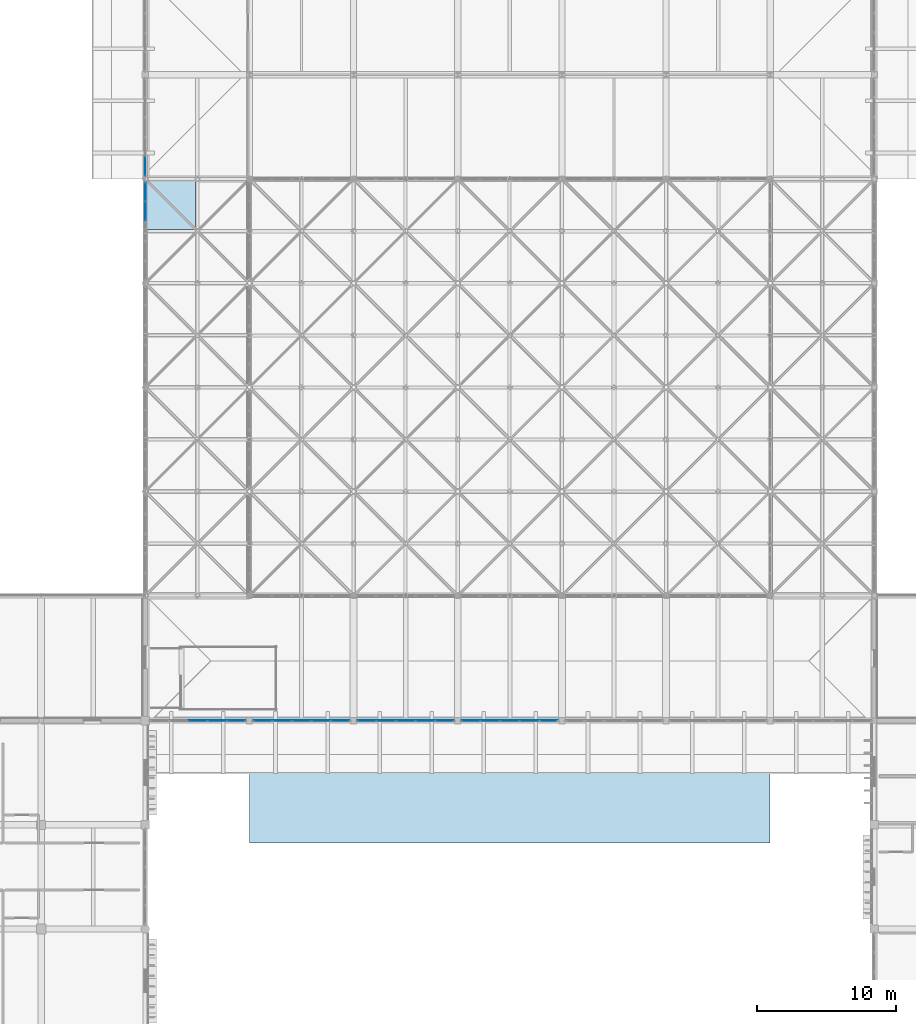
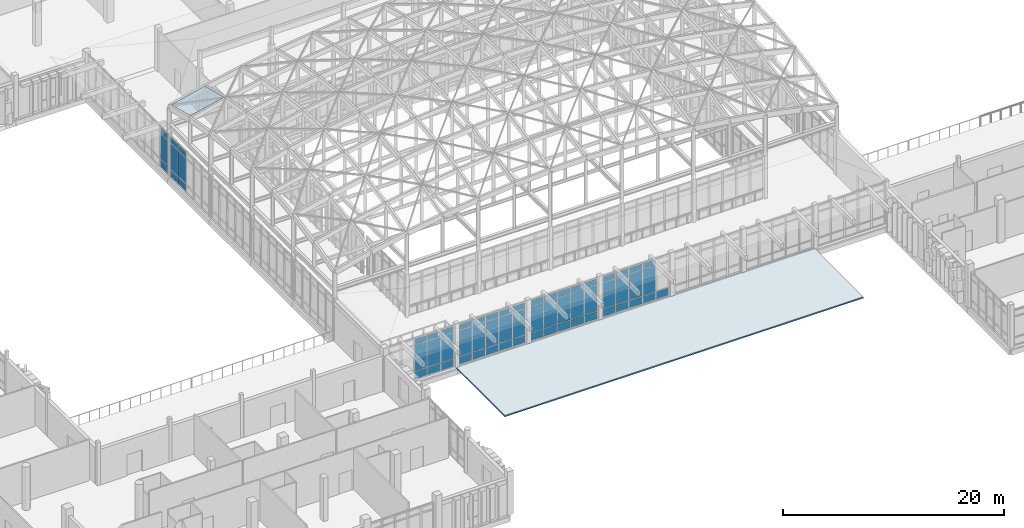
# One storey, part 77 of 131: 62 plates, 1 slab, 8 elements without a shape of their own.
"""IFC4 building model written with IfcOpenShell, lengths in metres."""

import ifcopenshell
import ifcopenshell.guid

model = None  # the IFC model being written
_history = None  # IfcOwnerHistory: only IFC2X3 demands one
_inside = {}  # id of a spatial element -> (the spatial element, [elements in it])
_under = {}  # id of a project, library or spatial element -> (it, [spatial elements below it])
_declared = {}  # id of a project -> (the project, [libraries it declares])
_typed = {}  # id of a type object -> (the type object, [elements of that type])
_made_of = {}  # id of a material, layer set ... -> (it, [elements and type objects made of it])


def new_model(schema):
    """Start an empty IFC model of exactly this schema.

    Asked for "IFC4X3", IfcOpenShell would pick the latest addendum, in which some entities
    have other attributes; the version numbers below select the first issue.
    IFC2X3 requires an IfcOwnerHistory on every rooted entity: one is made here for all.
    """
    global model, _history
    if schema == "IFC4X3":
        model = ifcopenshell.file(schema_version=(4, 3, 0, 0))
    else:
        model = ifcopenshell.file(schema=schema)
    _inside.clear()
    _under.clear()
    _declared.clear()
    _typed.clear()
    _made_of.clear()
    _history = None
    if model.schema == "IFC2X3":
        org = make("IfcOrganization", Name="unknown")
        user = make(
            "IfcPersonAndOrganization",
            ThePerson=make("IfcPerson", FamilyName="unknown"),
            TheOrganization=org,
        )
        app = make(
            "IfcApplication",
            ApplicationDeveloper=org,
            Version="unknown",
            ApplicationFullName="unknown",
            ApplicationIdentifier="unknown",
        )
        _history = make(
            "IfcOwnerHistory",
            OwningUser=user,
            OwningApplication=app,
            ChangeAction="ADDED",
            CreationDate=0,
        )
    return model


def make(cls, **values):
    """One entity of the class cls with the attributes given. An attribute that is None is left unset."""
    return model.create_entity(
        cls, **{name: value for name, value in values.items() if value is not None}
    )


def rooted(cls, **values):
    """An entity with a GlobalId (a new one), such as an element, a storey or a relation."""
    return make(cls, GlobalId=ifcopenshell.guid.new(), OwnerHistory=_history, **values)


def si_unit(unit_type, name, prefix=None):
    """IfcSIUnit, for example si_unit("LENGTHUNIT", "METRE", prefix="MILLI")."""
    return make("IfcSIUnit", UnitType=unit_type, Prefix=prefix, Name=name)


def assignment(units):
    """IfcUnitAssignment: the units of a project."""
    return None if units is None else make("IfcUnitAssignment", Units=units)


def point(xyz):
    """IfcCartesianPoint."""
    return None if xyz is None else make("IfcCartesianPoint", Coordinates=xyz)


def direction(xyz):
    """IfcDirection."""
    return None if xyz is None else make("IfcDirection", DirectionRatios=xyz)


def frame(location, z_axis=None, x_axis=None):
    """IfcAxis2Placement3D, a coordinate frame: its origin and axes. An axis left out is left unset."""
    return make(
        "IfcAxis2Placement3D",
        Location=point(location),
        Axis=direction(z_axis),
        RefDirection=direction(x_axis),
    )


def frame_2d(location, x_axis=None):
    """IfcAxis2Placement2D, a coordinate frame in the plane: its origin and x axis."""
    return make(
        "IfcAxis2Placement2D", Location=point(location), RefDirection=direction(x_axis)
    )


def origin():
    """The frame at (0, 0, 0) with its axes left unset."""
    return frame((0.0, 0.0, 0.0))


def origin_2d():
    """The frame at (0, 0) in the plane with its x axis left unset."""
    return frame_2d((0.0, 0.0))


def place(relative_to, where):
    """IfcLocalPlacement: puts the frame where relative to a parent placement (None: the world)."""
    return make(
        "IfcLocalPlacement", PlacementRelTo=relative_to, RelativePlacement=where
    )


def context(
    kind, dimensions, precision=None, world=None, true_north=None, identifier=None
):
    """IfcGeometricRepresentationContext, for example the 3D "Model" context."""
    return make(
        "IfcGeometricRepresentationContext",
        ContextIdentifier=identifier,
        ContextType=kind,
        CoordinateSpaceDimension=dimensions,
        Precision=precision,
        WorldCoordinateSystem=world,
        TrueNorth=true_north,
    )


def subcontext(parent, identifier, kind, view, scale=None):
    """IfcGeometricRepresentationSubContext, for example "Body" below "Model"."""
    return make(
        "IfcGeometricRepresentationSubContext",
        ContextIdentifier=identifier,
        ContextType=kind,
        ParentContext=parent,
        TargetScale=scale,
        TargetView=view,
    )


def project(units=None, contexts=None):
    """IfcProject with its units and contexts."""
    return rooted(
        "IfcProject",
        Name="project",
        RepresentationContexts=contexts,
        UnitsInContext=assignment(units),
    )


def spatial(cls, under=None, at=None, **own):
    """A site, building, storey or space (cls), placed at a placement, below another one or the project."""
    s = rooted(cls, ObjectPlacement=at, **own)
    if under is not None:
        _under.setdefault(under.id(), (under, []))[1].append(s)
    return s


def polyline(points):
    """IfcPolyline through the points."""
    return make("IfcPolyline", Points=[point(p) for p in points])


def profile(cls, at=None, kind="AREA", **sizes):
    """A parametric profile (cls). Its sizes go by their IFC names, for example OverallWidth=200.0."""
    return make(cls, ProfileType=kind, Position=at, **sizes)


def rectangle(**sizes):
    """IfcRectangleProfileDef."""
    return profile("IfcRectangleProfileDef", **sizes)


def outline(outer, holes=None, kind="AREA"):
    """IfcArbitraryClosedProfileDef: a profile drawn as a closed curve; with holes, ...WithVoids."""
    if holes is None:
        return make("IfcArbitraryClosedProfileDef", ProfileType=kind, OuterCurve=outer)
    return make(
        "IfcArbitraryProfileDefWithVoids",
        ProfileType=kind,
        OuterCurve=outer,
        InnerCurves=holes,
    )


def extrude(swept, where, along, depth):
    """IfcExtrudedAreaSolid: the profile swept, set in the frame where, extruded along a direction by depth."""
    return make(
        "IfcExtrudedAreaSolid",
        SweptArea=swept,
        Position=where,
        ExtrudedDirection=direction(along),
        Depth=depth,
    )


def shape(context_of_items, identifier, shape_type, items):
    """IfcShapeRepresentation: the items that make up one representation, for example the "Body"."""
    return make(
        "IfcShapeRepresentation",
        ContextOfItems=context_of_items,
        RepresentationIdentifier=identifier,
        RepresentationType=shape_type,
        Items=items,
    )


def material(Name=None, Category=None):
    """IfcMaterial."""
    return make("IfcMaterial", Name=Name, Category=Category)


def layer(
    of_material, thickness, ventilated=None, Name=None, Category=None, Priority=None
):
    """IfcMaterialLayer: one layer of a wall or slab, of a material (None: an air gap)."""
    return make(
        "IfcMaterialLayer",
        Material=of_material,
        LayerThickness=thickness,
        IsVentilated=ventilated,
        Name=Name,
        Category=Category,
        Priority=Priority,
    )


def layer_set(layers, Name=None):
    """IfcMaterialLayerSet."""
    return make("IfcMaterialLayerSet", MaterialLayers=layers, LayerSetName=Name)


def made_of(thing, what):
    """Note that an element or type object is made of a material, layer set ...; save() writes the relation."""
    if what is not None:
        _made_of.setdefault(what.id(), (what, []))[1].append(thing)
    return thing


def type_object(cls, material=None, **own):
    """A type object (cls), such as IfcWallType, which elements share."""
    return made_of(rooted(cls, **own), material)


def element(
    cls,
    number,
    at=None,
    inside=None,
    cuts=None,
    type_object=None,
    material=None,
    context=None,
    identifier="Body",
    shape_type=None,
    held_by="IfcProductDefinitionShape",
    body=None,
    shapes=None,
    **own,
):
    """One element of the class cls, such as IfcWall. Its Tag is "e" and its number.

    at: its placement. inside: the storey or other place that contains it. cuts: it is an
    opening in that element (IfcRelVoidsElement). A single representation is given by context,
    identifier, shape_type and body (its items); several are given by shapes. held_by: the class
    of the entity that holds the representations. save() writes the other relations.
    """
    e = rooted(cls, Tag="e%d" % number, ObjectPlacement=at, **own)
    if body is not None:
        shapes = [shape(context, identifier, shape_type, body)]
    if shapes is not None:
        e.Representation = make(held_by, Representations=shapes)
    if inside is not None:
        _inside.setdefault(inside.id(), (inside, []))[1].append(e)
    if cuts is not None:
        rooted(
            "IfcRelVoidsElement", RelatingBuildingElement=cuts, RelatedOpeningElement=e
        )
    if type_object is not None:
        _typed.setdefault(type_object.id(), (type_object, []))[1].append(e)
    return made_of(e, material)


def aggregate(whole, parts):
    """IfcRelAggregates: a whole, such as a stair, and the parts it consists of."""
    return rooted("IfcRelAggregates", RelatingObject=whole, RelatedObjects=parts)


def save(model, path):
    """Write the relations noted so far, then the file.

    IfcRelAggregates (storeys below a building ...), IfcRelContainedInSpatialStructure (elements
    in a storey), IfcRelDefinesByType, IfcRelAssociatesMaterial and IfcRelDeclares: one each for
    every whole, place, type object, material and project.
    """
    for whole, parts in _under.values():
        aggregate(whole, parts)
    for where, things in _inside.values():
        rooted(
            "IfcRelContainedInSpatialStructure",
            RelatedElements=things,
            RelatingStructure=where,
        )
    for kind, things in _typed.values():
        rooted("IfcRelDefinesByType", RelatedObjects=things, RelatingType=kind)
    for what, things in _made_of.values():
        rooted("IfcRelAssociatesMaterial", RelatedObjects=things, RelatingMaterial=what)
    for by, libraries in _declared.values():
        rooted("IfcRelDeclares", RelatingContext=by, RelatedDefinitions=libraries)
    model.write(path)


model = new_model("IFC4")

# Units and contexts
model_context = context("Model", 3, precision=1e-05, world=origin(), true_north=direction((0.0, 1.0)))
body_context = subcontext(model_context, "Body", "Model", "MODEL_VIEW")
ifc_project = project(units=[si_unit("LENGTHUNIT", "METRE"), si_unit("AREAUNIT", "SQUARE_METRE"), si_unit("VOLUMEUNIT", "CUBIC_METRE"), si_unit("PLANEANGLEUNIT", "RADIAN"), si_unit("MASSUNIT", "GRAM", prefix="KILO")], contexts=[model_context])

# Site, building, storey
site_placement = place(None, origin())
site = spatial("IfcSite", under=ifc_project, at=site_placement, CompositionType="ELEMENT")
building_placement = place(site_placement, origin())
building = spatial("IfcBuilding", under=site, at=building_placement, Name="Dalvernix Boulevard General Hospital", CompositionType="ELEMENT")
storey_placement = place(building_placement, frame((0.0, 0.0, 9.300048828125)))
storey = spatial("IfcBuildingStorey", under=building, at=storey_placement, Name="L02", CompositionType="ELEMENT", Elevation=9.300048828125)

# Curtain wall, plates
ifc_material_1 = material(Name="Thermally broken aluminium and solar-control glass curtain wall", Category="aluminium")
ifc_layer_1 = layer(ifc_material_1, 0.159912109375)
ifc_layer_set_1 = layer_set([ifc_layer_1], Name="Thermally broken aluminium and solar-control glass curtain wall (CW-CW-A-71x46)")
curtain_wall_type_1 = type_object("IfcCurtainWallType", Name="CW-CW-A-71x46", PredefinedType="USERDEFINED", material=ifc_layer_set_1)
curtain_wall_1_placement = place(storey_placement, origin())
curtain_wall_1 = element("IfcCurtainWall", 1, at=curtain_wall_1_placement, inside=storey, type_object=curtain_wall_type_1, Name="L02 curtain wall CW-A-71x46 8-8", ObjectType="GLAZED FACADE", PredefinedType="USERDEFINED")
ifc_material_2 = material(Name="Double-glazed solar-control low-emissivity glass", Category="glass")
ifc_layer_2 = layer(ifc_material_2, 0.02392578125)
ifc_layer_set_2 = layer_set([ifc_layer_2], Name="Double-glazed solar-control low-emissivity glass (PLT-CW-P1)")
plate_type_1 = type_object("IfcPlateType", Name="PLT-CW-P1", PredefinedType="CURTAIN_PANEL", material=ifc_layer_set_2)
plate_1_placement = place(storey_placement, frame((60.0, 62.41259765625, 0.059814453125), z_axis=(0.0, 0.0, 1.0), x_axis=(0.0, 1.0, 0.0)))
plate_1 = element("IfcPlate", 2, at=plate_1_placement, type_object=plate_type_1, Name="CW-A-71x46 panel 1.1", PredefinedType="CURTAIN_PANEL", context=body_context, shape_type="SweptSolid", body=[
    extrude(rectangle(XDim=1.324951171875, YDim=0.02392578125, at=origin_2d()), origin(), (0.0, 0.0, 1.0), 0.81005859375),
])
plate_2_placement = place(storey_placement, frame((60.0, 62.41259765625, 0.9296875), z_axis=(0.0, 0.0, 1.0), x_axis=(0.0, 1.0, 0.0)))
plate_2 = element("IfcPlate", 3, at=plate_2_placement, type_object=plate_type_1, Name="CW-A-71x46 panel 1.2", PredefinedType="CURTAIN_PANEL", context=body_context, shape_type="SweptSolid", body=[
    extrude(rectangle(XDim=1.324951171875, YDim=0.02392578125, at=origin_2d()), origin(), (0.0, 0.0, 1.0), 2.840087890625),
])
plate_3_placement = place(storey_placement, frame((60.0, 62.41259765625, 3.830078125), z_axis=(0.0, 0.0, 1.0), x_axis=(0.0, 1.0, 0.0)))
plate_3 = element("IfcPlate", 4, at=plate_3_placement, type_object=plate_type_1, Name="CW-A-71x46 panel 1.3", PredefinedType="CURTAIN_PANEL", context=body_context, shape_type="SweptSolid", body=[
    extrude(rectangle(XDim=1.324951171875, YDim=0.02392578125, at=origin_2d()), origin(), (0.0, 0.0, 1.0), 0.659912109375),
])
aggregate(curtain_wall_1, [plate_1, plate_2, plate_3])

ifc_layer_3 = layer(ifc_material_1, 0.159912109375)
ifc_layer_set_3 = layer_set([ifc_layer_3], Name="Thermally broken aluminium and solar-control glass curtain wall (CW-CW-A-70x46)")
curtain_wall_type_2 = type_object("IfcCurtainWallType", Name="CW-CW-A-70x46", PredefinedType="USERDEFINED", material=ifc_layer_set_3)
curtain_wall_2_placement = place(storey_placement, origin())
curtain_wall_2 = element("IfcCurtainWall", 5, at=curtain_wall_2_placement, inside=storey, type_object=curtain_wall_type_2, Name="L02 curtain wall CW-A-70x46 10-3", ObjectType="GLAZED FACADE", PredefinedType="USERDEFINED")
plate_4_placement = place(storey_placement, frame((81.547119140625, 22.5, 0.059814453125), z_axis=(0.0, 0.0, 1.0), x_axis=(-1.0, 0.0, 0.0)))
plate_4 = element("IfcPlate", 6, at=plate_4_placement, type_object=plate_type_1, Name="CW-A-70x46 panel 1.1", PredefinedType="CURTAIN_PANEL", context=body_context, shape_type="SweptSolid", body=[
    extrude(rectangle(XDim=1.31591796875, YDim=0.02392578125, at=origin_2d()), origin(), (0.0, 0.0, 1.0), 0.81005859375),
])
plate_5_placement = place(storey_placement, frame((81.547119140625, 22.5, 0.9296875), z_axis=(0.0, 0.0, 1.0), x_axis=(-1.0, 0.0, 0.0)))
plate_5 = element("IfcPlate", 7, at=plate_5_placement, type_object=plate_type_1, Name="CW-A-70x46 panel 1.2", PredefinedType="CURTAIN_PANEL", context=body_context, shape_type="SweptSolid", body=[
    extrude(rectangle(XDim=1.31591796875, YDim=0.02392578125, at=origin_2d()), origin(), (0.0, 0.0, 1.0), 2.840087890625),
])
plate_6_placement = place(storey_placement, frame((81.547119140625, 22.5, 3.830078125), z_axis=(0.0, 0.0, 1.0), x_axis=(-1.0, 0.0, 0.0)))
plate_6 = element("IfcPlate", 8, at=plate_6_placement, type_object=plate_type_1, Name="CW-A-70x46 panel 1.3", PredefinedType="CURTAIN_PANEL", context=body_context, shape_type="SweptSolid", body=[
    extrude(rectangle(XDim=1.31591796875, YDim=0.02392578125, at=origin_2d()), origin(), (0.0, 0.0, 1.0), 0.659912109375),
])
plate_7_placement = place(storey_placement, frame((80.156005859375, 22.5, 0.059814453125), z_axis=(0.0, 0.0, 1.0), x_axis=(-1.0, 0.0, 0.0)))
plate_7 = element("IfcPlate", 9, at=plate_7_placement, type_object=plate_type_1, Name="CW-A-70x46 panel 2.1", PredefinedType="CURTAIN_PANEL", context=body_context, shape_type="SweptSolid", body=[
    extrude(rectangle(XDim=1.345947265625, YDim=0.02392578125, at=origin_2d()), origin(), (0.0, 0.0, 1.0), 0.81005859375),
])
plate_8_placement = place(storey_placement, frame((80.156005859375, 22.5, 0.9296875), z_axis=(0.0, 0.0, 1.0), x_axis=(-1.0, 0.0, 0.0)))
plate_8 = element("IfcPlate", 10, at=plate_8_placement, type_object=plate_type_1, Name="CW-A-70x46 panel 2.2", PredefinedType="CURTAIN_PANEL", context=body_context, shape_type="SweptSolid", body=[
    extrude(rectangle(XDim=1.345947265625, YDim=0.02392578125, at=origin_2d()), origin(), (0.0, 0.0, 1.0), 2.840087890625),
])
plate_9_placement = place(storey_placement, frame((80.156005859375, 22.5, 3.830078125), z_axis=(0.0, 0.0, 1.0), x_axis=(-1.0, 0.0, 0.0)))
plate_9 = element("IfcPlate", 11, at=plate_9_placement, type_object=plate_type_1, Name="CW-A-70x46 panel 2.3", PredefinedType="CURTAIN_PANEL", context=body_context, shape_type="SweptSolid", body=[
    extrude(rectangle(XDim=1.345947265625, YDim=0.02392578125, at=origin_2d()), origin(), (0.0, 0.0, 1.0), 0.659912109375),
])
plate_10_placement = place(storey_placement, frame((78.75, 22.5, 0.059814453125), z_axis=(0.0, 0.0, 1.0), x_axis=(-1.0, 0.0, 0.0)))
plate_10 = element("IfcPlate", 12, at=plate_10_placement, type_object=plate_type_1, Name="CW-A-70x46 panel 3.1", PredefinedType="CURTAIN_PANEL", context=body_context, shape_type="SweptSolid", body=[
    extrude(rectangle(XDim=1.345947265625, YDim=0.02392578125, at=origin_2d()), origin(), (0.0, 0.0, 1.0), 0.81005859375),
])
plate_11_placement = place(storey_placement, frame((78.75, 22.5, 0.9296875), z_axis=(0.0, 0.0, 1.0), x_axis=(-1.0, 0.0, 0.0)))
plate_11 = element("IfcPlate", 13, at=plate_11_placement, type_object=plate_type_1, Name="CW-A-70x46 panel 3.2", PredefinedType="CURTAIN_PANEL", context=body_context, shape_type="SweptSolid", body=[
    extrude(rectangle(XDim=1.345947265625, YDim=0.02392578125, at=origin_2d()), origin(), (0.0, 0.0, 1.0), 2.840087890625),
])
plate_12_placement = place(storey_placement, frame((78.75, 22.5, 3.830078125), z_axis=(0.0, 0.0, 1.0), x_axis=(-1.0, 0.0, 0.0)))
plate_12 = element("IfcPlate", 14, at=plate_12_placement, type_object=plate_type_1, Name="CW-A-70x46 panel 3.3", PredefinedType="CURTAIN_PANEL", context=body_context, shape_type="SweptSolid", body=[
    extrude(rectangle(XDim=1.345947265625, YDim=0.02392578125, at=origin_2d()), origin(), (0.0, 0.0, 1.0), 0.659912109375),
])
plate_13_placement = place(storey_placement, frame((77.343994140625, 22.5, 0.059814453125), z_axis=(0.0, 0.0, 1.0), x_axis=(-1.0, 0.0, 0.0)))
plate_13 = element("IfcPlate", 15, at=plate_13_placement, type_object=plate_type_1, Name="CW-A-70x46 panel 4.1", PredefinedType="CURTAIN_PANEL", context=body_context, shape_type="SweptSolid", body=[
    extrude(rectangle(XDim=1.345947265625, YDim=0.02392578125, at=origin_2d()), origin(), (0.0, 0.0, 1.0), 0.81005859375),
])
plate_14_placement = place(storey_placement, frame((77.343994140625, 22.5, 0.9296875), z_axis=(0.0, 0.0, 1.0), x_axis=(-1.0, 0.0, 0.0)))
plate_14 = element("IfcPlate", 16, at=plate_14_placement, type_object=plate_type_1, Name="CW-A-70x46 panel 4.2", PredefinedType="CURTAIN_PANEL", context=body_context, shape_type="SweptSolid", body=[
    extrude(rectangle(XDim=1.345947265625, YDim=0.02392578125, at=origin_2d()), origin(), (0.0, 0.0, 1.0), 2.840087890625),
])
plate_15_placement = place(storey_placement, frame((77.343994140625, 22.5, 3.830078125), z_axis=(0.0, 0.0, 1.0), x_axis=(-1.0, 0.0, 0.0)))
plate_15 = element("IfcPlate", 17, at=plate_15_placement, type_object=plate_type_1, Name="CW-A-70x46 panel 4.3", PredefinedType="CURTAIN_PANEL", context=body_context, shape_type="SweptSolid", body=[
    extrude(rectangle(XDim=1.345947265625, YDim=0.02392578125, at=origin_2d()), origin(), (0.0, 0.0, 1.0), 0.659912109375),
])
plate_16_placement = place(storey_placement, frame((75.952880859375, 22.5, 0.059814453125), z_axis=(0.0, 0.0, 1.0), x_axis=(-1.0, 0.0, 0.0)))
plate_16 = element("IfcPlate", 18, at=plate_16_placement, type_object=plate_type_1, Name="CW-A-70x46 panel 5.1", PredefinedType="CURTAIN_PANEL", context=body_context, shape_type="SweptSolid", body=[
    extrude(rectangle(XDim=1.31591796875, YDim=0.02392578125, at=origin_2d()), origin(), (0.0, 0.0, 1.0), 0.81005859375),
])
plate_17_placement = place(storey_placement, frame((75.952880859375, 22.5, 0.9296875), z_axis=(0.0, 0.0, 1.0), x_axis=(-1.0, 0.0, 0.0)))
plate_17 = element("IfcPlate", 19, at=plate_17_placement, type_object=plate_type_1, Name="CW-A-70x46 panel 5.2", PredefinedType="CURTAIN_PANEL", context=body_context, shape_type="SweptSolid", body=[
    extrude(rectangle(XDim=1.31591796875, YDim=0.02392578125, at=origin_2d()), origin(), (0.0, 0.0, 1.0), 2.840087890625),
])
plate_18_placement = place(storey_placement, frame((75.952880859375, 22.5, 3.830078125), z_axis=(0.0, 0.0, 1.0), x_axis=(-1.0, 0.0, 0.0)))
plate_18 = element("IfcPlate", 20, at=plate_18_placement, type_object=plate_type_1, Name="CW-A-70x46 panel 5.3", PredefinedType="CURTAIN_PANEL", context=body_context, shape_type="SweptSolid", body=[
    extrude(rectangle(XDim=1.31591796875, YDim=0.02392578125, at=origin_2d()), origin(), (0.0, 0.0, 1.0), 0.659912109375),
])
aggregate(curtain_wall_2, [plate_4, plate_5, plate_6, plate_7, plate_8, plate_9, plate_10, plate_11, plate_12, plate_13, plate_14, plate_15, plate_16, plate_17, plate_18])

ifc_layer_4 = layer(ifc_material_1, 0.179931640625)
ifc_layer_set_4 = layer_set([ifc_layer_4], Name="Thermally broken aluminium and solar-control glass curtain wall (CW-CW-B-70x46)")
curtain_wall_type_3 = type_object("IfcCurtainWallType", Name="CW-CW-B-70x46", PredefinedType="USERDEFINED", material=ifc_layer_set_4)
curtain_wall_3_placement = place(storey_placement, origin())
curtain_wall_3 = element("IfcCurtainWall", 21, at=curtain_wall_3_placement, inside=storey, type_object=curtain_wall_type_3, Name="L02 curtain wall CW-B-70x46 8-3", ObjectType="GLAZED FACADE", PredefinedType="USERDEFINED")
ifc_layer_5 = layer(ifc_material_2, 0.028076171875)
ifc_layer_set_5 = layer_set([ifc_layer_5], Name="Double-glazed solar-control low-emissivity glass (PLT-CW-P2)")
plate_type_2 = type_object("IfcPlateType", Name="PLT-CW-P2", PredefinedType="CURTAIN_PANEL", material=ifc_layer_set_5)
plate_19_placement = place(storey_placement, frame((66.55322265625, 22.5, 0.06494140625), z_axis=(0.0, 0.0, 1.0), x_axis=(-1.0, 0.0, 0.0)))
plate_19 = element("IfcPlate", 22, at=plate_19_placement, type_object=plate_type_2, Name="CW-B-70x46 panel 1.1", PredefinedType="CURTAIN_PANEL", context=body_context, shape_type="SweptSolid", body=[
    extrude(rectangle(XDim=1.29345703125, YDim=0.028076171875, at=origin_2d()), origin(), (0.0, 0.0, 1.0), 0.802490234375),
])
plate_20_placement = place(storey_placement, frame((66.55322265625, 22.5, 0.932373046875), z_axis=(0.0, 0.0, 1.0), x_axis=(-1.0, 0.0, 0.0)))
plate_20 = element("IfcPlate", 23, at=plate_20_placement, type_object=plate_type_2, Name="CW-B-70x46 panel 1.2", PredefinedType="CURTAIN_PANEL", context=body_context, shape_type="SweptSolid", body=[
    extrude(rectangle(XDim=1.29345703125, YDim=0.028076171875, at=origin_2d()), origin(), (0.0, 0.0, 1.0), 2.8349609375),
])
plate_21_placement = place(storey_placement, frame((66.55322265625, 22.5, 3.83251953125), z_axis=(0.0, 0.0, 1.0), x_axis=(-1.0, 0.0, 0.0)))
plate_21 = element("IfcPlate", 24, at=plate_21_placement, type_object=plate_type_2, Name="CW-B-70x46 panel 1.3", PredefinedType="CURTAIN_PANEL", context=body_context, shape_type="SweptSolid", body=[
    extrude(rectangle(XDim=1.29345703125, YDim=0.028076171875, at=origin_2d()), origin(), (0.0, 0.0, 1.0), 0.652587890625),
])
plate_22_placement = place(storey_placement, frame((65.178466796875, 22.5, 0.06494140625), z_axis=(0.0, 0.0, 1.0), x_axis=(-1.0, 0.0, 0.0)))
plate_22 = element("IfcPlate", 25, at=plate_22_placement, type_object=plate_type_2, Name="CW-B-70x46 panel 2.1", PredefinedType="CURTAIN_PANEL", context=body_context, shape_type="SweptSolid", body=[
    extrude(rectangle(XDim=1.325927734375, YDim=0.028076171875, at=origin_2d()), origin(), (0.0, 0.0, 1.0), 0.802490234375),
])
plate_23_placement = place(storey_placement, frame((65.178466796875, 22.5, 0.932373046875), z_axis=(0.0, 0.0, 1.0), x_axis=(-1.0, 0.0, 0.0)))
plate_23 = element("IfcPlate", 26, at=plate_23_placement, type_object=plate_type_2, Name="CW-B-70x46 panel 2.2", PredefinedType="CURTAIN_PANEL", context=body_context, shape_type="SweptSolid", body=[
    extrude(rectangle(XDim=1.325927734375, YDim=0.028076171875, at=origin_2d()), origin(), (0.0, 0.0, 1.0), 2.8349609375),
])
plate_24_placement = place(storey_placement, frame((65.178466796875, 22.5, 3.83251953125), z_axis=(0.0, 0.0, 1.0), x_axis=(-1.0, 0.0, 0.0)))
plate_24 = element("IfcPlate", 27, at=plate_24_placement, type_object=plate_type_2, Name="CW-B-70x46 panel 2.3", PredefinedType="CURTAIN_PANEL", context=body_context, shape_type="SweptSolid", body=[
    extrude(rectangle(XDim=1.325927734375, YDim=0.028076171875, at=origin_2d()), origin(), (0.0, 0.0, 1.0), 0.652587890625),
])
plate_25_placement = place(storey_placement, frame((63.78759765625, 22.5, 0.06494140625), z_axis=(0.0, 0.0, 1.0), x_axis=(-1.0, 0.0, 0.0)))
plate_25 = element("IfcPlate", 28, at=plate_25_placement, type_object=plate_type_2, Name="CW-B-70x46 panel 3.1", PredefinedType="CURTAIN_PANEL", context=body_context, shape_type="SweptSolid", body=[
    extrude(rectangle(XDim=1.325927734375, YDim=0.028076171875, at=origin_2d()), origin(), (0.0, 0.0, 1.0), 0.802490234375),
])
plate_26_placement = place(storey_placement, frame((63.78759765625, 22.5, 0.932373046875), z_axis=(0.0, 0.0, 1.0), x_axis=(-1.0, 0.0, 0.0)))
plate_26 = element("IfcPlate", 29, at=plate_26_placement, type_object=plate_type_2, Name="CW-B-70x46 panel 3.2", PredefinedType="CURTAIN_PANEL", context=body_context, shape_type="SweptSolid", body=[
    extrude(rectangle(XDim=1.325927734375, YDim=0.028076171875, at=origin_2d()), origin(), (0.0, 0.0, 1.0), 2.8349609375),
])
plate_27_placement = place(storey_placement, frame((63.78759765625, 22.5, 3.83251953125), z_axis=(0.0, 0.0, 1.0), x_axis=(-1.0, 0.0, 0.0)))
plate_27 = element("IfcPlate", 30, at=plate_27_placement, type_object=plate_type_2, Name="CW-B-70x46 panel 3.3", PredefinedType="CURTAIN_PANEL", context=body_context, shape_type="SweptSolid", body=[
    extrude(rectangle(XDim=1.325927734375, YDim=0.028076171875, at=origin_2d()), origin(), (0.0, 0.0, 1.0), 0.652587890625),
])
aggregate(curtain_wall_3, [plate_19, plate_20, plate_21, plate_22, plate_23, plate_24, plate_25, plate_26, plate_27])

curtain_wall_4_placement = place(storey_placement, origin())
curtain_wall_4 = element("IfcCurtainWall", 31, at=curtain_wall_4_placement, inside=storey, type_object=curtain_wall_type_3, Name="L02 curtain wall CW-B-70x46 11-3", ObjectType="GLAZED FACADE", PredefinedType="USERDEFINED")
plate_28_placement = place(storey_placement, frame((89.045654296875, 22.5, 0.06494140625), z_axis=(0.0, 0.0, 1.0), x_axis=(-1.0, 0.0, 0.0)))
plate_28 = element("IfcPlate", 32, at=plate_28_placement, type_object=plate_type_2, Name="CW-B-70x46 panel 1.1", PredefinedType="CURTAIN_PANEL", context=body_context, shape_type="SweptSolid", body=[
    extrude(rectangle(XDim=1.30859375, YDim=0.028076171875, at=origin_2d()), origin(), (0.0, 0.0, 1.0), 0.802490234375),
])
plate_29_placement = place(storey_placement, frame((87.656005859375, 22.5, 0.06494140625), z_axis=(0.0, 0.0, 1.0), x_axis=(-1.0, 0.0, 0.0)))
plate_29 = element("IfcPlate", 33, at=plate_29_placement, type_object=plate_type_2, Name="CW-B-70x46 panel 2.1", PredefinedType="CURTAIN_PANEL", context=body_context, shape_type="SweptSolid", body=[
    extrude(rectangle(XDim=1.341064453125, YDim=0.028076171875, at=origin_2d()), origin(), (0.0, 0.0, 1.0), 0.802490234375),
])
plate_30_placement = place(storey_placement, frame((87.656005859375, 22.5, 0.932373046875), z_axis=(0.0, 0.0, 1.0), x_axis=(-1.0, 0.0, 0.0)))
plate_30 = element("IfcPlate", 34, at=plate_30_placement, type_object=plate_type_2, Name="CW-B-70x46 panel 2.2", PredefinedType="CURTAIN_PANEL", context=body_context, shape_type="SweptSolid", body=[
    extrude(rectangle(XDim=1.341064453125, YDim=0.028076171875, at=origin_2d()), origin(), (0.0, 0.0, 1.0), 2.8349609375),
])
plate_31_placement = place(storey_placement, frame((87.656005859375, 22.5, 3.83251953125), z_axis=(0.0, 0.0, 1.0), x_axis=(-1.0, 0.0, 0.0)))
plate_31 = element("IfcPlate", 35, at=plate_31_placement, type_object=plate_type_2, Name="CW-B-70x46 panel 2.3", PredefinedType="CURTAIN_PANEL", context=body_context, shape_type="SweptSolid", body=[
    extrude(rectangle(XDim=1.341064453125, YDim=0.028076171875, at=origin_2d()), origin(), (0.0, 0.0, 1.0), 0.652587890625),
])
plate_32_placement = place(storey_placement, frame((86.25, 22.5, 0.06494140625), z_axis=(0.0, 0.0, 1.0), x_axis=(-1.0, 0.0, 0.0)))
plate_32 = element("IfcPlate", 36, at=plate_32_placement, type_object=plate_type_2, Name="CW-B-70x46 panel 3.1", PredefinedType="CURTAIN_PANEL", context=body_context, shape_type="SweptSolid", body=[
    extrude(rectangle(XDim=1.341064453125, YDim=0.028076171875, at=origin_2d()), origin(), (0.0, 0.0, 1.0), 0.802490234375),
])
plate_33_placement = place(storey_placement, frame((86.25, 22.5, 0.932373046875), z_axis=(0.0, 0.0, 1.0), x_axis=(-1.0, 0.0, 0.0)))
plate_33 = element("IfcPlate", 37, at=plate_33_placement, type_object=plate_type_2, Name="CW-B-70x46 panel 3.2", PredefinedType="CURTAIN_PANEL", context=body_context, shape_type="SweptSolid", body=[
    extrude(rectangle(XDim=1.341064453125, YDim=0.028076171875, at=origin_2d()), origin(), (0.0, 0.0, 1.0), 2.8349609375),
])
plate_34_placement = place(storey_placement, frame((86.25, 22.5, 3.83251953125), z_axis=(0.0, 0.0, 1.0), x_axis=(-1.0, 0.0, 0.0)))
plate_34 = element("IfcPlate", 38, at=plate_34_placement, type_object=plate_type_2, Name="CW-B-70x46 panel 3.3", PredefinedType="CURTAIN_PANEL", context=body_context, shape_type="SweptSolid", body=[
    extrude(rectangle(XDim=1.341064453125, YDim=0.028076171875, at=origin_2d()), origin(), (0.0, 0.0, 1.0), 0.652587890625),
])
plate_35_placement = place(storey_placement, frame((84.843994140625, 22.5, 0.06494140625), z_axis=(0.0, 0.0, 1.0), x_axis=(-1.0, 0.0, 0.0)))
plate_35 = element("IfcPlate", 39, at=plate_35_placement, type_object=plate_type_2, Name="CW-B-70x46 panel 4.1", PredefinedType="CURTAIN_PANEL", context=body_context, shape_type="SweptSolid", body=[
    extrude(rectangle(XDim=1.341064453125, YDim=0.028076171875, at=origin_2d()), origin(), (0.0, 0.0, 1.0), 0.802490234375),
])
plate_36_placement = place(storey_placement, frame((84.843994140625, 22.5, 0.932373046875), z_axis=(0.0, 0.0, 1.0), x_axis=(-1.0, 0.0, 0.0)))
plate_36 = element("IfcPlate", 40, at=plate_36_placement, type_object=plate_type_2, Name="CW-B-70x46 panel 4.2", PredefinedType="CURTAIN_PANEL", context=body_context, shape_type="SweptSolid", body=[
    extrude(rectangle(XDim=1.341064453125, YDim=0.028076171875, at=origin_2d()), origin(), (0.0, 0.0, 1.0), 2.8349609375),
])
plate_37_placement = place(storey_placement, frame((84.843994140625, 22.5, 3.83251953125), z_axis=(0.0, 0.0, 1.0), x_axis=(-1.0, 0.0, 0.0)))
plate_37 = element("IfcPlate", 41, at=plate_37_placement, type_object=plate_type_2, Name="CW-B-70x46 panel 4.3", PredefinedType="CURTAIN_PANEL", context=body_context, shape_type="SweptSolid", body=[
    extrude(rectangle(XDim=1.341064453125, YDim=0.028076171875, at=origin_2d()), origin(), (0.0, 0.0, 1.0), 0.652587890625),
])
plate_38_placement = place(storey_placement, frame((83.454345703125, 22.5, 0.06494140625), z_axis=(0.0, 0.0, 1.0), x_axis=(-1.0, 0.0, 0.0)))
plate_38 = element("IfcPlate", 42, at=plate_38_placement, type_object=plate_type_2, Name="CW-B-70x46 panel 5.1", PredefinedType="CURTAIN_PANEL", context=body_context, shape_type="SweptSolid", body=[
    extrude(rectangle(XDim=1.30859375, YDim=0.028076171875, at=origin_2d()), origin(), (0.0, 0.0, 1.0), 0.802490234375),
])
plate_39_placement = place(storey_placement, frame((83.454345703125, 22.5, 0.932373046875), z_axis=(0.0, 0.0, 1.0), x_axis=(-1.0, 0.0, 0.0)))
plate_39 = element("IfcPlate", 43, at=plate_39_placement, type_object=plate_type_2, Name="CW-B-70x46 panel 5.2", PredefinedType="CURTAIN_PANEL", context=body_context, shape_type="SweptSolid", body=[
    extrude(rectangle(XDim=1.30859375, YDim=0.028076171875, at=origin_2d()), origin(), (0.0, 0.0, 1.0), 2.8349609375),
])
plate_40_placement = place(storey_placement, frame((83.454345703125, 22.5, 3.83251953125), z_axis=(0.0, 0.0, 1.0), x_axis=(-1.0, 0.0, 0.0)))
plate_40 = element("IfcPlate", 44, at=plate_40_placement, type_object=plate_type_2, Name="CW-B-70x46 panel 5.3", PredefinedType="CURTAIN_PANEL", context=body_context, shape_type="SweptSolid", body=[
    extrude(rectangle(XDim=1.30859375, YDim=0.028076171875, at=origin_2d()), origin(), (0.0, 0.0, 1.0), 0.652587890625),
])
aggregate(curtain_wall_4, [plate_28, plate_29, plate_30, plate_31, plate_32, plate_33, plate_34, plate_35, plate_36, plate_37, plate_38, plate_39, plate_40])

ifc_layer_6 = layer(ifc_material_1, 0.199951171875)
ifc_layer_set_6 = layer_set([ifc_layer_6], Name="Thermally broken aluminium and solar-control glass curtain wall (CW-CW-C-71x46)")
curtain_wall_type_4 = type_object("IfcCurtainWallType", Name="CW-CW-C-71x46", PredefinedType="USERDEFINED", material=ifc_layer_set_6)
curtain_wall_5_placement = place(storey_placement, origin())
curtain_wall_5 = element("IfcCurtainWall", 45, at=curtain_wall_5_placement, inside=storey, type_object=curtain_wall_type_4, Name="L02 curtain wall CW-C-71x46 8-7", ObjectType="GLAZED FACADE", PredefinedType="USERDEFINED")
ifc_layer_7 = layer(ifc_material_2, 0.035888671875)
ifc_layer_set_7 = layer_set([ifc_layer_7], Name="Double-glazed solar-control low-emissivity glass (PLT-CW-P3)")
plate_type_3 = type_object("IfcPlateType", Name="PLT-CW-P3", PredefinedType="CURTAIN_PANEL", material=ifc_layer_set_7)
plate_41_placement = place(storey_placement, frame((60.0, 59.174072265625, 0.070068359375), z_axis=(0.0, 0.0, 1.0), x_axis=(0.0, 1.0, 0.0)))
plate_41 = element("IfcPlate", 46, at=plate_41_placement, type_object=plate_type_3, Name="CW-C-71x46 panel 4.1", PredefinedType="CURTAIN_PANEL", context=body_context, shape_type="SweptSolid", body=[
    extrude(rectangle(XDim=1.35400390625, YDim=0.035888671875, at=origin_2d()), origin(), (0.0, 0.0, 1.0), 0.794921875),
])
plate_42_placement = place(storey_placement, frame((60.0, 59.174072265625, 0.934814453125), z_axis=(0.0, 0.0, 1.0), x_axis=(0.0, 1.0, 0.0)))
plate_42 = element("IfcPlate", 47, at=plate_42_placement, type_object=plate_type_3, Name="CW-C-71x46 panel 4.2", PredefinedType="CURTAIN_PANEL", context=body_context, shape_type="SweptSolid", body=[
    extrude(rectangle(XDim=1.35400390625, YDim=0.035888671875, at=origin_2d()), origin(), (0.0, 0.0, 1.0), 2.830078125),
])
plate_43_placement = place(storey_placement, frame((60.0, 59.174072265625, 3.8349609375), z_axis=(0.0, 0.0, 1.0), x_axis=(0.0, 1.0, 0.0)))
plate_43 = element("IfcPlate", 48, at=plate_43_placement, type_object=plate_type_3, Name="CW-C-71x46 panel 4.3", PredefinedType="CURTAIN_PANEL", context=body_context, shape_type="SweptSolid", body=[
    extrude(rectangle(XDim=1.35400390625, YDim=0.035888671875, at=origin_2d()), origin(), (0.0, 0.0, 1.0), 0.64501953125),
])
plate_44_placement = place(storey_placement, frame((60.0, 60.58056640625, 0.070068359375), z_axis=(0.0, 0.0, 1.0), x_axis=(0.0, 1.0, 0.0)))
plate_44 = element("IfcPlate", 49, at=plate_44_placement, type_object=plate_type_3, Name="CW-C-71x46 panel 5.1", PredefinedType="CURTAIN_PANEL", context=body_context, shape_type="SweptSolid", body=[
    extrude(rectangle(XDim=1.319091796875, YDim=0.035888671875, at=origin_2d()), origin(), (0.0, 0.0, 1.0), 0.794921875),
])
plate_45_placement = place(storey_placement, frame((60.0, 60.58056640625, 0.934814453125), z_axis=(0.0, 0.0, 1.0), x_axis=(0.0, 1.0, 0.0)))
plate_45 = element("IfcPlate", 50, at=plate_45_placement, type_object=plate_type_3, Name="CW-C-71x46 panel 5.2", PredefinedType="CURTAIN_PANEL", context=body_context, shape_type="SweptSolid", body=[
    extrude(rectangle(XDim=1.319091796875, YDim=0.035888671875, at=origin_2d()), origin(), (0.0, 0.0, 1.0), 2.830078125),
])
plate_46_placement = place(storey_placement, frame((60.0, 60.58056640625, 3.8349609375), z_axis=(0.0, 0.0, 1.0), x_axis=(0.0, 1.0, 0.0)))
plate_46 = element("IfcPlate", 51, at=plate_46_placement, type_object=plate_type_3, Name="CW-C-71x46 panel 5.3", PredefinedType="CURTAIN_PANEL", context=body_context, shape_type="SweptSolid", body=[
    extrude(rectangle(XDim=1.319091796875, YDim=0.035888671875, at=origin_2d()), origin(), (0.0, 0.0, 1.0), 0.64501953125),
])
aggregate(curtain_wall_5, [plate_41, plate_42, plate_43, plate_44, plate_45, plate_46])

ifc_layer_8 = layer(ifc_material_1, 0.199951171875)
ifc_layer_set_8 = layer_set([ifc_layer_8], Name="Thermally broken aluminium and solar-control glass curtain wall (CW-CW-C-70x46)")
curtain_wall_type_5 = type_object("IfcCurtainWallType", Name="CW-CW-C-70x46", PredefinedType="USERDEFINED", material=ifc_layer_set_8)
curtain_wall_6_placement = place(storey_placement, origin())
curtain_wall_6 = element("IfcCurtainWall", 52, at=curtain_wall_6_placement, inside=storey, type_object=curtain_wall_type_5, Name="L02 curtain wall CW-C-70x46 9-3", ObjectType="GLAZED FACADE", PredefinedType="USERDEFINED")
plate_47_placement = place(storey_placement, frame((74.04443359375, 22.5, 0.070068359375), z_axis=(0.0, 0.0, 1.0), x_axis=(-1.0, 0.0, 0.0)))
plate_47 = element("IfcPlate", 53, at=plate_47_placement, type_object=plate_type_3, Name="CW-C-70x46 panel 1.1", PredefinedType="CURTAIN_PANEL", context=body_context, shape_type="SweptSolid", body=[
    extrude(rectangle(XDim=1.301025390625, YDim=0.035888671875, at=origin_2d()), origin(), (0.0, 0.0, 1.0), 0.794921875),
])
plate_48_placement = place(storey_placement, frame((74.04443359375, 22.5, 0.934814453125), z_axis=(0.0, 0.0, 1.0), x_axis=(-1.0, 0.0, 0.0)))
plate_48 = element("IfcPlate", 54, at=plate_48_placement, type_object=plate_type_3, Name="CW-C-70x46 panel 1.2", PredefinedType="CURTAIN_PANEL", context=body_context, shape_type="SweptSolid", body=[
    extrude(rectangle(XDim=1.301025390625, YDim=0.035888671875, at=origin_2d()), origin(), (0.0, 0.0, 1.0), 2.830078125),
])
plate_49_placement = place(storey_placement, frame((74.04443359375, 22.5, 3.8349609375), z_axis=(0.0, 0.0, 1.0), x_axis=(-1.0, 0.0, 0.0)))
plate_49 = element("IfcPlate", 55, at=plate_49_placement, type_object=plate_type_3, Name="CW-C-70x46 panel 1.3", PredefinedType="CURTAIN_PANEL", context=body_context, shape_type="SweptSolid", body=[
    extrude(rectangle(XDim=1.301025390625, YDim=0.035888671875, at=origin_2d()), origin(), (0.0, 0.0, 1.0), 0.64501953125),
])
plate_50_placement = place(storey_placement, frame((72.656005859375, 22.5, 0.070068359375), z_axis=(0.0, 0.0, 1.0), x_axis=(-1.0, 0.0, 0.0)))
plate_50 = element("IfcPlate", 56, at=plate_50_placement, type_object=plate_type_3, Name="CW-C-70x46 panel 2.1", PredefinedType="CURTAIN_PANEL", context=body_context, shape_type="SweptSolid", body=[
    extrude(rectangle(XDim=1.3359375, YDim=0.035888671875, at=origin_2d()), origin(), (0.0, 0.0, 1.0), 0.794921875),
])
plate_51_placement = place(storey_placement, frame((72.656005859375, 22.5, 0.934814453125), z_axis=(0.0, 0.0, 1.0), x_axis=(-1.0, 0.0, 0.0)))
plate_51 = element("IfcPlate", 57, at=plate_51_placement, type_object=plate_type_3, Name="CW-C-70x46 panel 2.2", PredefinedType="CURTAIN_PANEL", context=body_context, shape_type="SweptSolid", body=[
    extrude(rectangle(XDim=1.3359375, YDim=0.035888671875, at=origin_2d()), origin(), (0.0, 0.0, 1.0), 2.830078125),
])
plate_52_placement = place(storey_placement, frame((72.656005859375, 22.5, 3.8349609375), z_axis=(0.0, 0.0, 1.0), x_axis=(-1.0, 0.0, 0.0)))
plate_52 = element("IfcPlate", 58, at=plate_52_placement, type_object=plate_type_3, Name="CW-C-70x46 panel 2.3", PredefinedType="CURTAIN_PANEL", context=body_context, shape_type="SweptSolid", body=[
    extrude(rectangle(XDim=1.3359375, YDim=0.035888671875, at=origin_2d()), origin(), (0.0, 0.0, 1.0), 0.64501953125),
])
plate_53_placement = place(storey_placement, frame((71.25, 22.5, 0.070068359375), z_axis=(0.0, 0.0, 1.0), x_axis=(-1.0, 0.0, 0.0)))
plate_53 = element("IfcPlate", 59, at=plate_53_placement, type_object=plate_type_3, Name="CW-C-70x46 panel 3.1", PredefinedType="CURTAIN_PANEL", context=body_context, shape_type="SweptSolid", body=[
    extrude(rectangle(XDim=1.3359375, YDim=0.035888671875, at=origin_2d()), origin(), (0.0, 0.0, 1.0), 0.794921875),
])
plate_54_placement = place(storey_placement, frame((71.25, 22.5, 0.934814453125), z_axis=(0.0, 0.0, 1.0), x_axis=(-1.0, 0.0, 0.0)))
plate_54 = element("IfcPlate", 60, at=plate_54_placement, type_object=plate_type_3, Name="CW-C-70x46 panel 3.2", PredefinedType="CURTAIN_PANEL", context=body_context, shape_type="SweptSolid", body=[
    extrude(rectangle(XDim=1.3359375, YDim=0.035888671875, at=origin_2d()), origin(), (0.0, 0.0, 1.0), 2.830078125),
])
plate_55_placement = place(storey_placement, frame((71.25, 22.5, 3.8349609375), z_axis=(0.0, 0.0, 1.0), x_axis=(-1.0, 0.0, 0.0)))
plate_55 = element("IfcPlate", 61, at=plate_55_placement, type_object=plate_type_3, Name="CW-C-70x46 panel 3.3", PredefinedType="CURTAIN_PANEL", context=body_context, shape_type="SweptSolid", body=[
    extrude(rectangle(XDim=1.3359375, YDim=0.035888671875, at=origin_2d()), origin(), (0.0, 0.0, 1.0), 0.64501953125),
])
plate_56_placement = place(storey_placement, frame((69.843994140625, 22.5, 0.070068359375), z_axis=(0.0, 0.0, 1.0), x_axis=(-1.0, 0.0, 0.0)))
plate_56 = element("IfcPlate", 62, at=plate_56_placement, type_object=plate_type_3, Name="CW-C-70x46 panel 4.1", PredefinedType="CURTAIN_PANEL", context=body_context, shape_type="SweptSolid", body=[
    extrude(rectangle(XDim=1.3359375, YDim=0.035888671875, at=origin_2d()), origin(), (0.0, 0.0, 1.0), 0.794921875),
])
plate_57_placement = place(storey_placement, frame((69.843994140625, 22.5, 0.934814453125), z_axis=(0.0, 0.0, 1.0), x_axis=(-1.0, 0.0, 0.0)))
plate_57 = element("IfcPlate", 63, at=plate_57_placement, type_object=plate_type_3, Name="CW-C-70x46 panel 4.2", PredefinedType="CURTAIN_PANEL", context=body_context, shape_type="SweptSolid", body=[
    extrude(rectangle(XDim=1.3359375, YDim=0.035888671875, at=origin_2d()), origin(), (0.0, 0.0, 1.0), 2.830078125),
])
plate_58_placement = place(storey_placement, frame((69.843994140625, 22.5, 3.8349609375), z_axis=(0.0, 0.0, 1.0), x_axis=(-1.0, 0.0, 0.0)))
plate_58 = element("IfcPlate", 64, at=plate_58_placement, type_object=plate_type_3, Name="CW-C-70x46 panel 4.3", PredefinedType="CURTAIN_PANEL", context=body_context, shape_type="SweptSolid", body=[
    extrude(rectangle(XDim=1.3359375, YDim=0.035888671875, at=origin_2d()), origin(), (0.0, 0.0, 1.0), 0.64501953125),
])
plate_59_placement = place(storey_placement, frame((68.45556640625, 22.5, 0.070068359375), z_axis=(0.0, 0.0, 1.0), x_axis=(-1.0, 0.0, 0.0)))
plate_59 = element("IfcPlate", 65, at=plate_59_placement, type_object=plate_type_3, Name="CW-C-70x46 panel 5.1", PredefinedType="CURTAIN_PANEL", context=body_context, shape_type="SweptSolid", body=[
    extrude(rectangle(XDim=1.301025390625, YDim=0.035888671875, at=origin_2d()), origin(), (0.0, 0.0, 1.0), 0.794921875),
])
plate_60_placement = place(storey_placement, frame((68.45556640625, 22.5, 0.934814453125), z_axis=(0.0, 0.0, 1.0), x_axis=(-1.0, 0.0, 0.0)))
plate_60 = element("IfcPlate", 66, at=plate_60_placement, type_object=plate_type_3, Name="CW-C-70x46 panel 5.2", PredefinedType="CURTAIN_PANEL", context=body_context, shape_type="SweptSolid", body=[
    extrude(rectangle(XDim=1.301025390625, YDim=0.035888671875, at=origin_2d()), origin(), (0.0, 0.0, 1.0), 2.830078125),
])
plate_61_placement = place(storey_placement, frame((68.45556640625, 22.5, 3.8349609375), z_axis=(0.0, 0.0, 1.0), x_axis=(-1.0, 0.0, 0.0)))
plate_61 = element("IfcPlate", 67, at=plate_61_placement, type_object=plate_type_3, Name="CW-C-70x46 panel 5.3", PredefinedType="CURTAIN_PANEL", context=body_context, shape_type="SweptSolid", body=[
    extrude(rectangle(XDim=1.301025390625, YDim=0.035888671875, at=origin_2d()), origin(), (0.0, 0.0, 1.0), 0.64501953125),
])
aggregate(curtain_wall_6, [plate_47, plate_48, plate_49, plate_50, plate_51, plate_52, plate_53, plate_54, plate_55, plate_56, plate_57, plate_58, plate_59, plate_60, plate_61])

# Roof, plate
ifc_material_3 = material(Name="Polychrome Catalan glazed terracotta tile roof system", Category="masonry")
roof_type = type_object("IfcRoofType", Name="ROOF-HIP-01", PredefinedType="HIP_ROOF", material=ifc_material_3)
roof_1_placement = place(storey_placement, origin())
roof_1 = element("IfcRoof", 68, at=roof_1_placement, inside=storey, type_object=roof_type, Name="V1 Arrival Hall and Botanical Conservatory Dome Vault Gridshell Roof", PredefinedType="HIP_ROOF")
ifc_material_4 = material(Name="Laminated solar-control glass", Category="glass")
ifc_layer_9 = layer(ifc_material_4, 0.031982421875)
ifc_layer_set_9 = layer_set([ifc_layer_9], Name="Laminated solar-control glass (PLT-GP-01)")
plate_type_4 = type_object("IfcPlateType", Name="PLT-GP-01", PredefinedType="SHEET", material=ifc_layer_set_9)
plate_62_placement = place(storey_placement, frame((60.1298828125, 57.8798828125, 8.767333984375), z_axis=(-0.226864221304, 0.242107279803, 0.943353958045), x_axis=(0.972279781299, 0.0, 0.233820501406)))
plate_62 = element("IfcPlate", 69, at=plate_62_placement, type_object=plate_type_4, Name="Gridshell solar-control glazing panel 1-8", PredefinedType="SHEET", context=body_context, shape_type="SweptSolid", body=[
    extrude(outline(polyline([(0.0, 0.0), (3.5897428313671966, 0.0), (3.3802976605518236, 3.597254546787177), (-0.2094451708153728, 3.597254546787177), (0.0, 0.0)])), origin(), (0.0, 0.0, -1.0), 0.031982421875),
])
aggregate(roof_1, [plate_62])

# Roof, slab
roof_2_placement = place(storey_placement, origin())
roof_2 = element("IfcRoof", 70, at=roof_2_placement, inside=storey, type_object=roof_type, Name="South Boulevard Porte-Cochere Canopy Roof", PredefinedType="HIP_ROOF")
ifc_material_5 = material(Name="Glulam GL28h", Category="wood")
ifc_layer_10 = layer(ifc_material_5, 0.139892578125)
ifc_layer_set_10 = layer_set([ifc_layer_10], Name="Glulam GL28h (SLB-RS-05)")
slab_type = type_object("IfcSlabType", Name="SLB-RS-05", PredefinedType="ROOF", material=ifc_layer_set_10)
slab_placement = place(storey_placement, frame((0.0, 0.0, -0.320068359375)))
slab = element("IfcSlab", 71, at=slab_placement, type_object=slab_type, Name="South Boulevard Porte-Cochere Canopy Roof Deck", PredefinedType="ROOF", context=body_context, shape_type="SweptSolid", body=[
    extrude(outline(polyline([(67.5, 13.699951171875), (105.0, 13.699951171875), (105.0, 22.5), (67.5, 22.5), (67.5, 13.699951171875)])), origin(), (0.0, 0.0, 1.0), 0.14013671875),
])
aggregate(roof_2, [slab])

save(model, "model.ifc")
